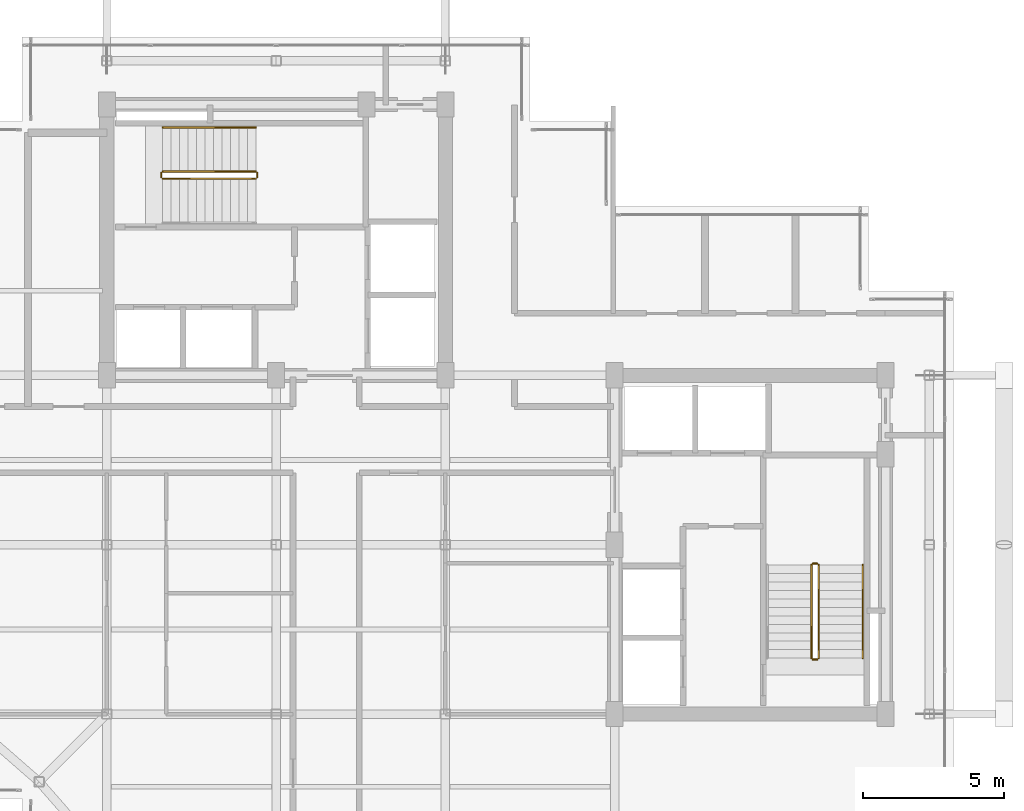
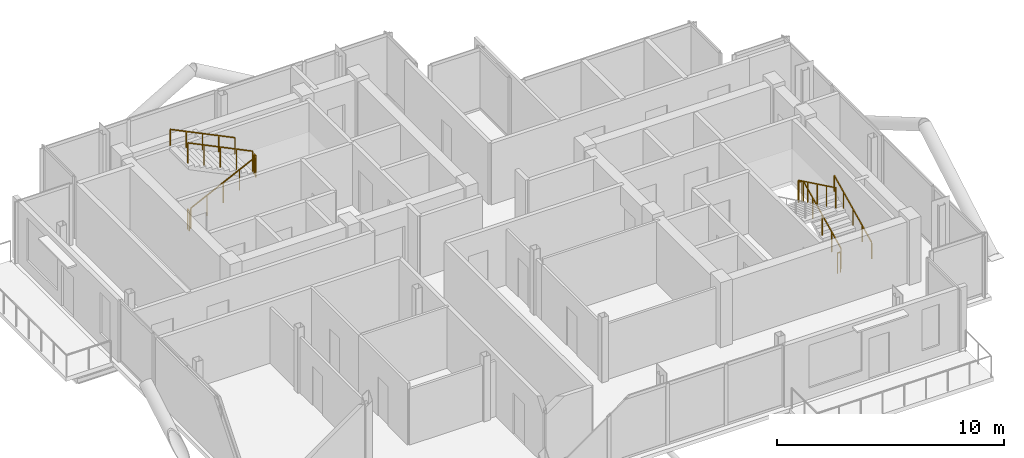
# One storey, part 19 of 19: 10 railings.
"""IFC4 building model written with IfcOpenShell, lengths in metres."""

from ifc_helpers import new_model, si_unit, direction, frame, origin, origin_2d, place, context, subcontext, project, spatial, rectangle, extrude, material, type_object, element, save


model = new_model("IFC4")

# Units and contexts
model_context = context("Model", 3, precision=1e-05, world=origin(), true_north=direction((0.0, 1.0)))
body_context = subcontext(model_context, "Body", "Model", "MODEL_VIEW")
ifc_project = project(units=[si_unit("LENGTHUNIT", "METRE"), si_unit("AREAUNIT", "SQUARE_METRE"), si_unit("VOLUMEUNIT", "CUBIC_METRE"), si_unit("PLANEANGLEUNIT", "RADIAN"), si_unit("MASSUNIT", "GRAM", prefix="KILO"), si_unit("THERMODYNAMICTEMPERATUREUNIT", "KELVIN"), si_unit("POWERUNIT", "WATT")], contexts=[model_context])

# Site, building, storey
site_placement = place(None, origin())
site = spatial("IfcSite", under=ifc_project, at=site_placement, CompositionType="ELEMENT")
building_placement = place(site_placement, origin())
building = spatial("IfcBuilding", under=site, at=building_placement, Name="Svarakhadi Broadcast Tower", CompositionType="ELEMENT")
storey_placement = place(building_placement, frame((0.0, 0.0, 243.199951171875)))
storey = spatial("IfcBuildingStorey", under=building, at=storey_placement, Name="L60", CompositionType="ELEMENT", Elevation=243.199951171875)

# Railings
ifc_material = material(Name="Anodised Bronze Aluminium AA 6063-T6", Category="aluminium")
railing_type_1 = type_object("IfcRailingType", Name="Guard_Stair_GR01", PredefinedType="GUARDRAIL", material=ifc_material)
railing_1_placement = place(storey_placement, frame((7.97998046875, 24.969970703125, 0.14599609375)))
element("IfcRailing", 1, at=railing_1_placement, inside=storey, type_object=railing_type_1, Name="L60 ST-01 stair guard 1", PredefinedType="GUARDRAIL", context=body_context, shape_type="SweptSolid", body=[
    extrude(rectangle(XDim=0.048095703125, YDim=0.048095703125, at=origin_2d()), frame((0.0, 0.0, 1.09619140625), z_axis=(0.899387838337, 0.0, 0.437151594131), x_axis=(0.0, 1.0, 0.0)), (0.0, 0.0, 1.0), 3.669189453125),
    extrude(rectangle(XDim=0.0419921875, YDim=0.0419921875, at=origin_2d()), origin(), (0.0, 0.0, 1.0), 1.072021484375),
    extrude(rectangle(XDim=0.0419921875, YDim=0.0419921875, at=origin_2d()), frame((0.824951171875, 0.0, 0.40087890625)), (0.0, 0.0, 1.0), 1.072021484375),
    extrude(rectangle(XDim=0.0419921875, YDim=0.0419921875, at=origin_2d()), frame((1.64990234375, 0.0, 0.802001953125)), (0.0, 0.0, 1.0), 1.072021484375),
    extrude(rectangle(XDim=0.0419921875, YDim=0.0419921875, at=origin_2d()), frame((2.47509765625, 0.0, 1.203125)), (0.0, 0.0, 1.0), 1.072021484375),
    extrude(rectangle(XDim=0.0419921875, YDim=0.0419921875, at=origin_2d()), frame((3.300048828125, 0.0, 1.60400390625)), (0.0, 0.0, 1.0), 1.072021484375),
])
railing_2_placement = place(storey_placement, frame((11.330078125, 25.02001953125, 1.75)))
element("IfcRailing", 2, at=railing_2_placement, inside=storey, type_object=railing_type_1, Name="L60 ST-01 stair guard 2", PredefinedType="GUARDRAIL", context=body_context, shape_type="SweptSolid", body=[
    extrude(rectangle(XDim=0.048095703125, YDim=0.048095703125, at=origin_2d()), frame((0.0, 0.0, 1.09619140625), z_axis=(0.0, 1.0, 0.0), x_axis=(-1.0, 0.0, 0.0)), (0.0, 0.0, 1.0), 0.159912109375),
    extrude(rectangle(XDim=0.0419921875, YDim=0.0419921875, at=origin_2d()), origin(), (0.0, 0.0, 1.0), 1.072021484375),
    extrude(rectangle(XDim=0.0419921875, YDim=0.0419921875, at=origin_2d()), frame((0.0, 0.159912109375, 0.0)), (0.0, 0.0, 1.0), 1.072021484375),
])
railing_3_placement = place(storey_placement, frame((11.280029296875, 25.22998046875, 1.89599609375)))
element("IfcRailing", 3, at=railing_3_placement, inside=storey, type_object=railing_type_1, Name="L60 ST-01 stair guard 3", PredefinedType="GUARDRAIL", context=body_context, shape_type="SweptSolid", body=[
    extrude(rectangle(XDim=0.048095703125, YDim=0.048095703125, at=origin_2d()), frame((0.0, 0.0, 1.09619140625), z_axis=(-0.899387838337, 0.0, 0.437151594131), x_axis=(0.0, -1.0, 0.0)), (0.0, 0.0, 1.0), 3.669189453125),
    extrude(rectangle(XDim=0.0419921875, YDim=0.0419921875, at=origin_2d()), origin(), (0.0, 0.0, 1.0), 1.072021484375),
    extrude(rectangle(XDim=0.0419921875, YDim=0.0419921875, at=origin_2d()), frame((-0.824951171875, 0.0, 0.40087890625)), (0.0, 0.0, 1.0), 1.072021484375),
    extrude(rectangle(XDim=0.0419921875, YDim=0.0419921875, at=origin_2d()), frame((-1.64990234375, 0.0, 0.802001953125)), (0.0, 0.0, 1.0), 1.072021484375),
    extrude(rectangle(XDim=0.0419921875, YDim=0.0419921875, at=origin_2d()), frame((-2.47509765625, 0.0, 1.203125)), (0.0, 0.0, 1.0), 1.072021484375),
    extrude(rectangle(XDim=0.0419921875, YDim=0.0419921875, at=origin_2d()), frame((-3.300048828125, 0.0, 1.60400390625)), (0.0, 0.0, 1.0), 1.072021484375),
])
railing_4_placement = place(storey_placement, frame((7.929931640625, 25.02001953125, 0.0)))
element("IfcRailing", 4, at=railing_4_placement, inside=storey, type_object=railing_type_1, Name="L60 ST-01 stair guard 4", PredefinedType="GUARDRAIL", context=body_context, shape_type="SweptSolid", body=[
    extrude(rectangle(XDim=0.048095703125, YDim=0.048095703125, at=origin_2d()), frame((0.0, 0.0, 1.09619140625), z_axis=(0.0, 1.0, 0.0), x_axis=(-1.0, 0.0, 0.0)), (0.0, 0.0, 1.0), 0.159912109375),
    extrude(rectangle(XDim=0.0419921875, YDim=0.0419921875, at=origin_2d()), origin(), (0.0, 0.0, 1.0), 1.072021484375),
    extrude(rectangle(XDim=0.0419921875, YDim=0.0419921875, at=origin_2d()), frame((0.0, 0.159912109375, 0.0)), (0.0, 0.0, 1.0), 1.072021484375),
])
railing_5_placement = place(storey_placement, frame((31.22998046875, 7.97998046875, 0.14599609375)))
element("IfcRailing", 5, at=railing_5_placement, inside=storey, type_object=railing_type_1, Name="L60 ST-02 stair guard 1", PredefinedType="GUARDRAIL", context=body_context, shape_type="SweptSolid", body=[
    extrude(rectangle(XDim=0.048095703125, YDim=0.048095703125, at=origin_2d()), frame((0.0, 0.0, 1.09619140625), z_axis=(0.0, 0.899387838337, 0.437151594131), x_axis=(-1.0, 0.0, 0.0)), (0.0, 0.0, 1.0), 3.669189453125),
    extrude(rectangle(XDim=0.0419921875, YDim=0.0419921875, at=origin_2d()), origin(), (0.0, 0.0, 1.0), 1.072021484375),
    extrude(rectangle(XDim=0.0419921875, YDim=0.0419921875, at=origin_2d()), frame((0.0, 0.824951171875, 0.40087890625)), (0.0, 0.0, 1.0), 1.072021484375),
    extrude(rectangle(XDim=0.0419921875, YDim=0.0419921875, at=origin_2d()), frame((0.0, 1.64990234375, 0.802001953125)), (0.0, 0.0, 1.0), 1.072021484375),
    extrude(rectangle(XDim=0.0419921875, YDim=0.0419921875, at=origin_2d()), frame((0.0, 2.47509765625, 1.203125)), (0.0, 0.0, 1.0), 1.072021484375),
    extrude(rectangle(XDim=0.0419921875, YDim=0.0419921875, at=origin_2d()), frame((0.0, 3.300048828125, 1.60400390625)), (0.0, 0.0, 1.0), 1.072021484375),
])
railing_6_placement = place(storey_placement, frame((31.179931640625, 11.330078125, 1.75)))
element("IfcRailing", 6, at=railing_6_placement, inside=storey, type_object=railing_type_1, Name="L60 ST-02 stair guard 2", PredefinedType="GUARDRAIL", context=body_context, shape_type="SweptSolid", body=[
    extrude(rectangle(XDim=0.048095703125, YDim=0.048095703125, at=origin_2d()), frame((0.0, 0.0, 1.09619140625), z_axis=(-1.0, 0.0, 0.0), x_axis=(0.0, -1.0, 0.0)), (0.0, 0.0, 1.0), 0.159912109375),
    extrude(rectangle(XDim=0.0419921875, YDim=0.0419921875, at=origin_2d()), origin(), (0.0, 0.0, 1.0), 1.072021484375),
    extrude(rectangle(XDim=0.0419921875, YDim=0.0419921875, at=origin_2d()), frame((-0.159912109375, 0.0, 0.0)), (0.0, 0.0, 1.0), 1.072021484375),
])
railing_7_placement = place(storey_placement, frame((30.969970703125, 11.280029296875, 1.89599609375)))
element("IfcRailing", 7, at=railing_7_placement, inside=storey, type_object=railing_type_1, Name="L60 ST-02 stair guard 3", PredefinedType="GUARDRAIL", context=body_context, shape_type="SweptSolid", body=[
    extrude(rectangle(XDim=0.048095703125, YDim=0.048095703125, at=origin_2d()), frame((0.0, 0.0, 1.09619140625), z_axis=(0.0, -0.899387838337, 0.437151594131), x_axis=(1.0, 0.0, 0.0)), (0.0, 0.0, 1.0), 3.669189453125),
    extrude(rectangle(XDim=0.0419921875, YDim=0.0419921875, at=origin_2d()), origin(), (0.0, 0.0, 1.0), 1.072021484375),
    extrude(rectangle(XDim=0.0419921875, YDim=0.0419921875, at=origin_2d()), frame((0.0, -0.824951171875, 0.40087890625)), (0.0, 0.0, 1.0), 1.072021484375),
    extrude(rectangle(XDim=0.0419921875, YDim=0.0419921875, at=origin_2d()), frame((0.0, -1.64990234375, 0.802001953125)), (0.0, 0.0, 1.0), 1.072021484375),
    extrude(rectangle(XDim=0.0419921875, YDim=0.0419921875, at=origin_2d()), frame((0.0, -2.47509765625, 1.203125)), (0.0, 0.0, 1.0), 1.072021484375),
    extrude(rectangle(XDim=0.0419921875, YDim=0.0419921875, at=origin_2d()), frame((0.0, -3.300048828125, 1.60400390625)), (0.0, 0.0, 1.0), 1.072021484375),
])
railing_8_placement = place(storey_placement, frame((31.179931640625, 7.929931640625, 0.0)))
element("IfcRailing", 8, at=railing_8_placement, inside=storey, type_object=railing_type_1, Name="L60 ST-02 stair guard 4", PredefinedType="GUARDRAIL", context=body_context, shape_type="SweptSolid", body=[
    extrude(rectangle(XDim=0.048095703125, YDim=0.048095703125, at=origin_2d()), frame((0.0, 0.0, 1.09619140625), z_axis=(-1.0, 0.0, 0.0), x_axis=(0.0, -1.0, 0.0)), (0.0, 0.0, 1.0), 0.159912109375),
    extrude(rectangle(XDim=0.0419921875, YDim=0.0419921875, at=origin_2d()), origin(), (0.0, 0.0, 1.0), 1.072021484375),
    extrude(rectangle(XDim=0.0419921875, YDim=0.0419921875, at=origin_2d()), frame((-0.159912109375, 0.0, 0.0)), (0.0, 0.0, 1.0), 1.072021484375),
])
railing_type_2 = type_object("IfcRailingType", Name="Handrail_Stair_HR01", PredefinedType="HANDRAIL", material=ifc_material)
railing_9_placement = place(storey_placement, frame((11.280029296875, 26.7900390625, 1.89599609375)))
element("IfcRailing", 9, at=railing_9_placement, inside=storey, type_object=railing_type_2, Name="L60 ST-01 stair handrail 2", PredefinedType="HANDRAIL", context=body_context, shape_type="SweptSolid", body=[
    extrude(rectangle(XDim=0.048095703125, YDim=0.048095703125, at=origin_2d()), frame((0.0, 0.0, 0.8759765625), z_axis=(-0.899387838337, 0.0, 0.437151594131), x_axis=(0.0, -1.0, 0.0)), (0.0, 0.0, 1.0), 3.669189453125),
    extrude(rectangle(XDim=0.0419921875, YDim=0.0419921875, at=origin_2d()), origin(), (0.0, 0.0, 1.0), 0.851806640625),
    extrude(rectangle(XDim=0.0419921875, YDim=0.0419921875, at=origin_2d()), frame((-0.824951171875, 0.0, 0.40087890625)), (0.0, 0.0, 1.0), 0.851806640625),
    extrude(rectangle(XDim=0.0419921875, YDim=0.0419921875, at=origin_2d()), frame((-1.64990234375, 0.0, 0.802001953125)), (0.0, 0.0, 1.0), 0.851806640625),
    extrude(rectangle(XDim=0.0419921875, YDim=0.0419921875, at=origin_2d()), frame((-2.47509765625, 0.0, 1.203125)), (0.0, 0.0, 1.0), 0.851806640625),
    extrude(rectangle(XDim=0.0419921875, YDim=0.0419921875, at=origin_2d()), frame((-3.300048828125, 0.0, 1.60400390625)), (0.0, 0.0, 1.0), 0.851806640625),
])
railing_10_placement = place(storey_placement, frame((32.7900390625, 7.97998046875, 0.14599609375)))
element("IfcRailing", 10, at=railing_10_placement, inside=storey, type_object=railing_type_2, Name="L60 ST-02 stair handrail 1", PredefinedType="HANDRAIL", context=body_context, shape_type="SweptSolid", body=[
    extrude(rectangle(XDim=0.048095703125, YDim=0.048095703125, at=origin_2d()), frame((0.0, 0.0, 0.8759765625), z_axis=(0.0, 0.899387838337, 0.437151594131), x_axis=(-1.0, 0.0, 0.0)), (0.0, 0.0, 1.0), 3.669189453125),
    extrude(rectangle(XDim=0.0419921875, YDim=0.0419921875, at=origin_2d()), origin(), (0.0, 0.0, 1.0), 0.851806640625),
    extrude(rectangle(XDim=0.0419921875, YDim=0.0419921875, at=origin_2d()), frame((0.0, 0.824951171875, 0.40087890625)), (0.0, 0.0, 1.0), 0.851806640625),
    extrude(rectangle(XDim=0.0419921875, YDim=0.0419921875, at=origin_2d()), frame((0.0, 1.64990234375, 0.802001953125)), (0.0, 0.0, 1.0), 0.851806640625),
    extrude(rectangle(XDim=0.0419921875, YDim=0.0419921875, at=origin_2d()), frame((0.0, 2.47509765625, 1.203125)), (0.0, 0.0, 1.0), 0.851806640625),
    extrude(rectangle(XDim=0.0419921875, YDim=0.0419921875, at=origin_2d()), frame((0.0, 3.300048828125, 1.60400390625)), (0.0, 0.0, 1.0), 0.851806640625),
])

save(model, "model.ifc")
